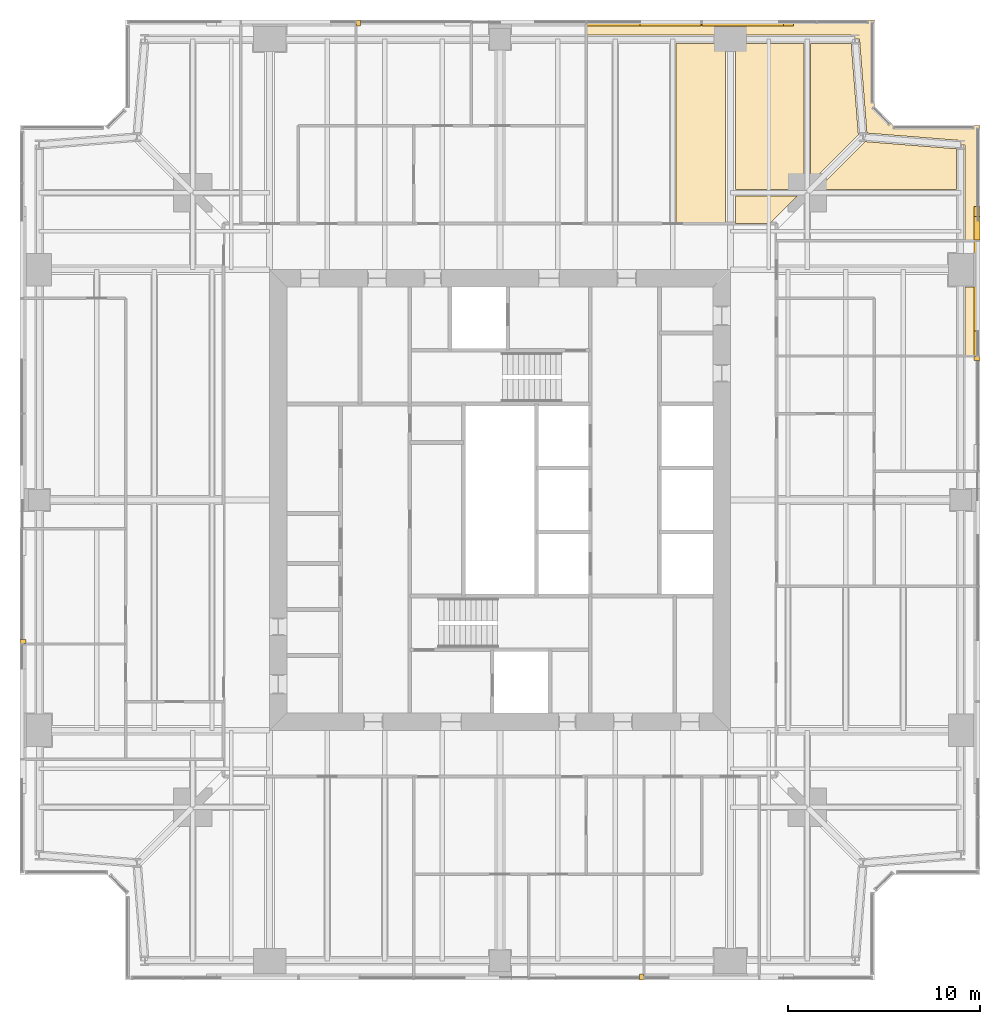
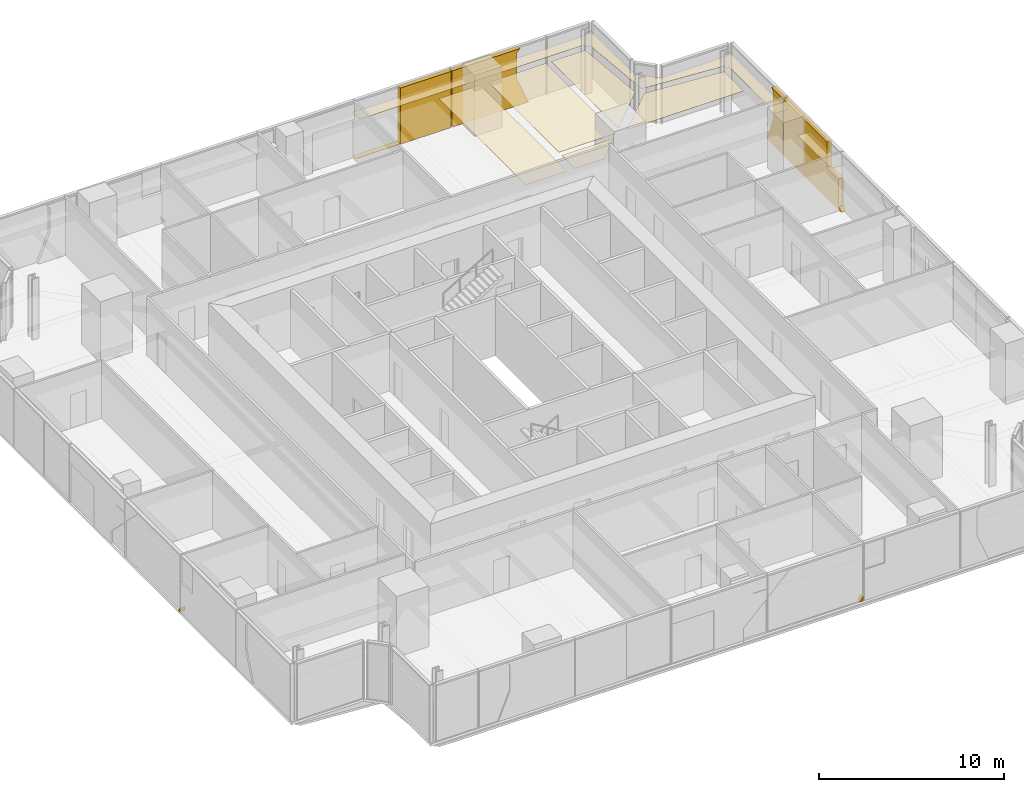
# One storey, part 15 of 15: 15 coverings.
"""IFC4 building model written with IfcOpenShell, lengths in metres."""

from ifc_helpers import new_model, si_unit, direction, frame, origin, place, context, subcontext, project, spatial, polyline, outline, extrude, material, layer, layer_set, type_object, element, save


model = new_model("IFC4")

# Units and contexts
model_context = context("Model", 3, precision=1e-05, world=origin(), true_north=direction((0.0, 1.0)))
body_context = subcontext(model_context, "Body", "Model", "MODEL_VIEW")
ifc_project = project(units=[si_unit("LENGTHUNIT", "METRE"), si_unit("AREAUNIT", "SQUARE_METRE"), si_unit("VOLUMEUNIT", "CUBIC_METRE"), si_unit("PLANEANGLEUNIT", "RADIAN"), si_unit("MASSUNIT", "GRAM", prefix="KILO")], contexts=[model_context])

# Site, building, storey
site_placement = place(None, origin())
site = spatial("IfcSite", under=ifc_project, at=site_placement, CompositionType="ELEMENT")
building_placement = place(site_placement, origin())
building = spatial("IfcBuilding", under=site, at=building_placement, Name="Fenwick Lantern Interchange", CompositionType="ELEMENT")
storey_placement = place(building_placement, frame((0.0, 0.0, 229.800048828125)))
storey = spatial("IfcBuildingStorey", under=building, at=storey_placement, Name="L54", CompositionType="ELEMENT", Elevation=229.800048828125)

# Coverings
ifc_material_1 = material(Name="Mineral fibre acoustic tile on suspended grid")
ifc_layer_1 = layer(ifc_material_1, 0.02001953125)
ifc_layer_set_1 = layer_set([ifc_layer_1], Name="ACOUSTIC TILE CEILING 20")
covering_type_1 = type_object("IfcCoveringType", Name="ACOUSTIC TILE CEILING 20", PredefinedType="CEILING", material=ifc_layer_set_1)
covering_1_placement = place(storey_placement, frame((0.0, 0.0, 2.884033203125)))
element("IfcCovering", 1, at=covering_1_placement, inside=storey, type_object=covering_type_1, Name="Meeting room ceiling", PredefinedType="CEILING", context=body_context, shape_type="SweptSolid", body=[
    extrude(outline(polyline([(50.0, 36.10009765625), (49.224365234375, 36.10009765625), (49.224365234375, 32.5), (50.0, 32.5), (50.0, 36.10009765625)])), origin(), (0.0, 0.0, 1.0), 0.02001953125),
])
covering_2_placement = place(storey_placement, frame((0.0, 0.0, 2.89990234375)))
element("IfcCovering", 2, at=covering_2_placement, inside=storey, type_object=covering_type_1, Name="Open office ceiling", PredefinedType="CEILING", context=body_context, shape_type="SweptSolid", body=[
    extrude(outline(polyline([(40.833984375, 48.775634765625), (37.256103515625, 48.775634765625), (37.256103515625, 41.166015625), (40.82177734375, 41.166015625), (40.827880859375, 41.172119140625), (40.833984375, 41.17822265625), (40.833984375, 48.775634765625)])), origin(), (0.0, 0.0, 1.0), 0.02001953125),
])
covering_3_placement = place(storey_placement, frame((0.0, 0.0, 2.89990234375)))
element("IfcCovering", 3, at=covering_3_placement, inside=storey, type_object=covering_type_1, Name="Open office ceiling", PredefinedType="CEILING", context=body_context, shape_type="SweptSolid", body=[
    extrude(outline(polyline([(34.166015625, 39.39990234375), (36.743896484375, 39.39990234375), (36.743896484375, 48.775634765625), (34.166015625, 48.775634765625), (34.166015625, 39.39990234375)])), origin(), (0.0, 0.0, 1.0), 0.02001953125),
])
covering_4_placement = place(storey_placement, frame((0.0, 0.0, 2.89990234375)))
element("IfcCovering", 4, at=covering_4_placement, inside=storey, type_object=covering_type_1, Name="Open office ceiling", PredefinedType="CEILING", context=body_context, shape_type="SweptSolid", body=[
    extrude(outline(polyline([(44.5, 50.0), (29.5, 50.0), (29.5, 49.224365234375), (37.0, 49.224365234375), (43.5, 49.224365234375), (43.5, 49.0), (43.723876953125, 49.017578125), (44.10888671875, 44.10888671875), (49.017578125, 43.723876953125), (49.0, 43.5), (49.224365234375, 43.5), (49.224365234375, 38.5), (50.0, 38.5), (50.0, 44.5), (45.5, 44.5), (44.5, 45.5), (44.5, 50.0)])), origin(), (0.0, 0.0, 1.0), 0.02001953125),
])
covering_5_placement = place(storey_placement, frame((0.0, 0.0, 2.89990234375)))
element("IfcCovering", 5, at=covering_5_placement, inside=storey, type_object=covering_type_1, Name="Open office ceiling", PredefinedType="CEILING", context=body_context, shape_type="SweptSolid", body=[
    extrude(outline(polyline([(43.29248046875, 48.775634765625), (41.166015625, 48.775634765625), (41.166015625, 41.510498046875), (43.666259765625, 44.010498046875), (43.29248046875, 48.775634765625)])), origin(), (0.0, 0.0, 1.0), 0.02001953125),
])
covering_6_placement = place(storey_placement, frame((0.0, 0.0, 2.89990234375)))
element("IfcCovering", 6, at=covering_6_placement, inside=storey, type_object=covering_type_1, Name="Open office ceiling", PredefinedType="CEILING", context=body_context, shape_type="SweptSolid", body=[
    extrude(outline(polyline([(48.775634765625, 41.166015625), (48.775634765625, 43.29248046875), (44.010498046875, 43.666259765625), (41.510498046875, 41.166015625), (48.775634765625, 41.166015625)])), origin(), (0.0, 0.0, 1.0), 0.02001953125),
])
covering_7_placement = place(storey_placement, frame((0.0, 0.0, 2.89990234375)))
element("IfcCovering", 7, at=covering_7_placement, inside=storey, type_object=covering_type_1, Name="Open office ceiling", PredefinedType="CEILING", context=body_context, shape_type="SweptSolid", body=[
    extrude(outline(polyline([(37.256103515625, 39.39990234375), (39.0556640625, 39.39990234375), (40.489501953125, 40.833984375), (37.256103515625, 40.833984375), (37.256103515625, 39.39990234375)])), origin(), (0.0, 0.0, 1.0), 0.02001953125),
])
ifc_material_2 = material(Name="Granite cladding, warm grey flamed finish, on aluminium carrier frame", Category="masonry")
ifc_layer_2 = layer(ifc_material_2, 0.300048828125)
ifc_layer_set_2 = layer_set([ifc_layer_2], Name="BRACE CASING PANEL 300")
covering_type_2 = type_object("IfcCoveringType", Name="BRACE CASING PANEL 300", PredefinedType="CLADDING", material=ifc_layer_set_2)
for number, where, z_axis, x_axis, name in (
    (8, (5.60009765625, 0.10009765625, 0.0), (0.0, 0.0, 1.0), (1.0, 0.0, 0.0), "Brace casing 01 bay 04b"),
    (9, (49.89990234375, 5.60009765625, 0.0), (0.0, 0.0, 1.0), (0.0, 1.0, 0.0), "Brace casing 05 bay 04b"),
):
    element("IfcCovering", number, at=place(storey_placement, frame(where, z_axis=z_axis, x_axis=x_axis)), inside=storey, type_object=covering_type_2, Name=name, PredefinedType="CLADDING", context=body_context, shape_type="SweptSolid", body=[
        extrude(outline(polyline([(26.6669921875, 0.0), (26.867431640625, 0.0), (26.867431640625, 0.26513671875), (26.6669921875, 0.0)])), frame((0.0, 0.2001953125, 0.0), z_axis=(0.0, -1.0, 0.0), x_axis=(1.0, 0.0, 0.0)), (0.0, 0.0, 1.0), 0.300048828125),
    ])
covering_8_placement = place(storey_placement, frame((49.89990234375, 5.60009765625, 0.0), z_axis=(0.0, 0.0, 1.0), x_axis=(0.0, 1.0, 0.0)))
element("IfcCovering", 10, at=covering_8_placement, inside=storey, type_object=covering_type_2, Name="Brace casing 05 bay 05a", PredefinedType="CLADDING", context=body_context, shape_type="SweptSolid", body=[
    extrude(outline(polyline([(26.9326171875, 0.0), (32.867431640625, 0.0), (32.867431640625, 3.699951171875), (28.197509765625, 3.699951171875), (28.197509765625, 2.02587890625), (26.9326171875, 2.02587890625), (26.9326171875, 0.0)])), frame((0.0, 0.2001953125, 0.0), z_axis=(0.0, -1.0, 0.0), x_axis=(1.0, 0.0, 0.0)), (0.0, 0.0, 1.0), 0.300048828125),
])
covering_9_placement = place(storey_placement, frame((49.89990234375, 5.60009765625, 0.0), z_axis=(0.0, 0.0, 1.0), x_axis=(0.0, 1.0, 0.0)))
element("IfcCovering", 11, at=covering_9_placement, inside=storey, type_object=covering_type_2, Name="Brace casing 05 bay 06a", PredefinedType="CLADDING", context=body_context, shape_type="SweptSolid", body=[
    extrude(outline(polyline([(32.9326171875, 0.0), (34.6865234375, 0.0), (33.945556640625, 1.810791015625), (33.945556640625, 3.463134765625), (34.16259765625, 3.699951171875), (32.9326171875, 3.699951171875), (32.9326171875, 0.0)])), frame((0.0, 0.2001953125, 0.0), z_axis=(0.0, -1.0, 0.0), x_axis=(1.0, 0.0, 0.0)), (0.0, 0.0, 1.0), 0.300048828125),
])
covering_10_placement = place(storey_placement, frame((44.39990234375, 49.89990234375, 0.0), z_axis=(0.0, 0.0, 1.0), x_axis=(-1.0, 0.0, 0.0)))
element("IfcCovering", 12, at=covering_10_placement, inside=storey, type_object=covering_type_2, Name="Brace casing 09 bay 01a", PredefinedType="CLADDING", context=body_context, shape_type="SweptSolid", body=[
    extrude(outline(polyline([(4.113525390625, 0.0), (8.867431640625, 0.0), (8.867431640625, 3.699951171875), (4.637451171875, 3.699951171875), (4.8544921875, 3.463134765625), (4.8544921875, 1.810791015625), (4.113525390625, 0.0)])), frame((0.0, 0.2001953125, 0.0), z_axis=(0.0, -1.0, 0.0), x_axis=(1.0, 0.0, 0.0)), (0.0, 0.0, 1.0), 0.300048828125),
])
covering_11_placement = place(storey_placement, frame((44.39990234375, 49.89990234375, 0.0), z_axis=(0.0, 0.0, 1.0), x_axis=(-1.0, 0.0, 0.0)))
element("IfcCovering", 13, at=covering_11_placement, inside=storey, type_object=covering_type_2, Name="Brace casing 09 bay 02a", PredefinedType="CLADDING", context=body_context, shape_type="SweptSolid", body=[
    extrude(outline(polyline([(8.9326171875, 0.0), (14.867431640625, 0.0), (14.867431640625, 0.039306640625), (12.103271484375, 0.039306640625), (12.103271484375, 3.699951171875), (8.9326171875, 3.699951171875), (8.9326171875, 0.0)])), frame((0.0, 0.2001953125, 0.0), z_axis=(0.0, -1.0, 0.0), x_axis=(1.0, 0.0, 0.0)), (0.0, 0.0, 1.0), 0.300048828125),
])
for number, where, z_axis, x_axis, name in (
    (14, (44.39990234375, 49.89990234375, 0.0), (0.0, 0.0, 1.0), (-1.0, 0.0, 0.0), "Brace casing 09 bay 04b"),
    (15, (0.10009765625, 44.39990234375, 0.0), (0.0, 0.0, 1.0), (0.0, -1.0, 0.0), "Brace casing 13 bay 04b"),
):
    element("IfcCovering", number, at=place(storey_placement, frame(where, z_axis=z_axis, x_axis=x_axis)), inside=storey, type_object=covering_type_2, Name=name, PredefinedType="CLADDING", context=body_context, shape_type="SweptSolid", body=[
        extrude(outline(polyline([(26.6669921875, 0.0), (26.867431640625, 0.0), (26.867431640625, 0.26513671875), (26.6669921875, 0.0)])), frame((0.0, 0.2001953125, 0.0), z_axis=(0.0, -1.0, 0.0), x_axis=(1.0, 0.0, 0.0)), (0.0, 0.0, 1.0), 0.300048828125),
    ])

save(model, "model.ifc")
